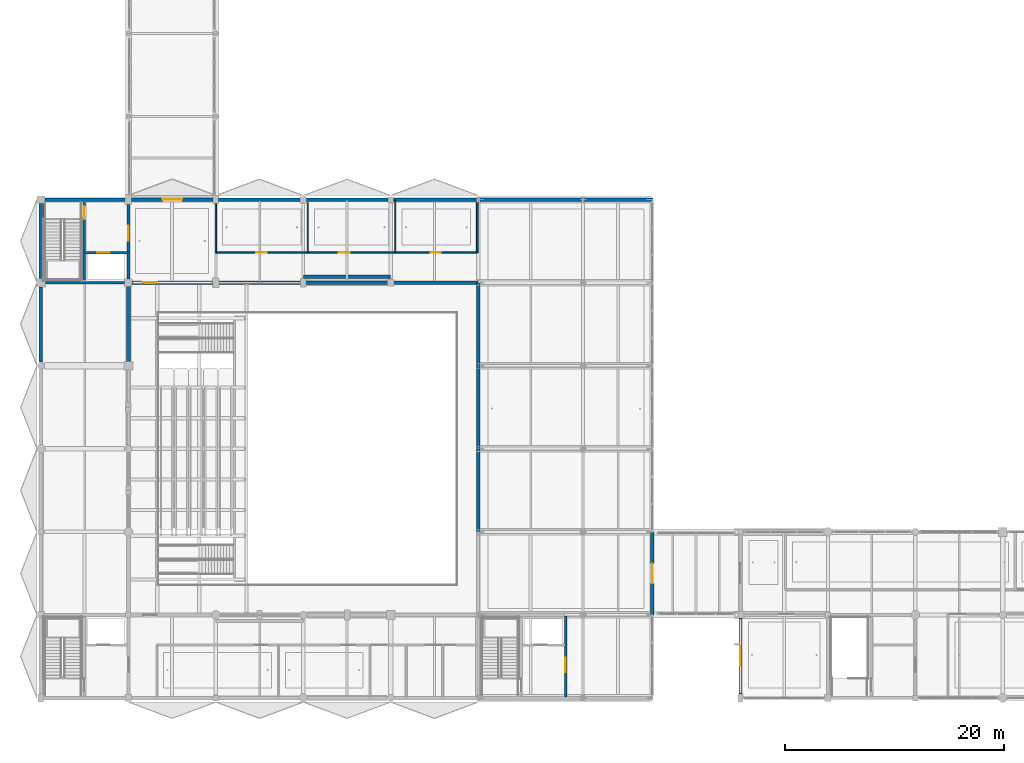
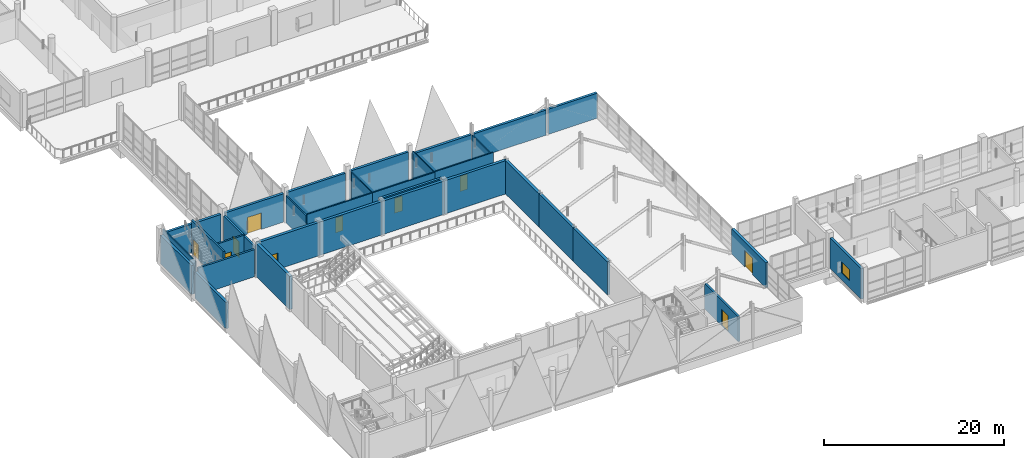
# One storey, part 90 of 141: 33 walls, 10 doors, 1 window, 11 openings.
"""IFC4 building model written with IfcOpenShell, lengths in metres."""

from ifc_helpers import new_model, si_unit, direction, frame, frame_2d, origin, place, context, subcontext, project, spatial, rectangle, extrude, material, layer, layer_set, type_object, element, fill, save


model = new_model("IFC4")

# Units and contexts
model_context = context("Model", 3, precision=1e-05, world=origin(), true_north=direction((0.0, 1.0)))
body_context = subcontext(model_context, "Body", "Model", "MODEL_VIEW")
ifc_project = project(units=[si_unit("LENGTHUNIT", "METRE"), si_unit("AREAUNIT", "SQUARE_METRE"), si_unit("VOLUMEUNIT", "CUBIC_METRE"), si_unit("PLANEANGLEUNIT", "RADIAN"), si_unit("MASSUNIT", "GRAM", prefix="KILO")], contexts=[model_context])

# Site, building, storey
site_placement = place(None, origin())
site = spatial("IfcSite", under=ifc_project, at=site_placement, CompositionType="ELEMENT")
building_placement = place(site_placement, origin())
building = spatial("IfcBuilding", under=site, at=building_placement, Name="Khelvaren Railside Concert Hall", CompositionType="ELEMENT")
storey_placement = place(building_placement, frame((0.0, 0.0, 10.199951171875)))
storey = spatial("IfcBuildingStorey", under=building, at=storey_placement, Name="L02", CompositionType="ELEMENT", Elevation=10.199951171875)

# Wall
ifc_material_1 = material(Name="Concrete C40/50", Category="concrete")
ifc_layer_1 = layer(ifc_material_1, 0.139892578125)
ifc_layer_set_1 = layer_set([ifc_layer_1], Name="Concrete C40/50")
wall_type_1 = type_object("IfcWallType", Name="CW17", PredefinedType="SOLIDWALL", material=ifc_layer_set_1)
wall_1_placement = place(storey_placement, frame((0.27490234375, 38.14990234375, 0.0), z_axis=(0.0, 0.0, 1.0), x_axis=(0.0, 1.0, 0.0)))
element("IfcWall", 1, at=wall_1_placement, inside=storey, type_object=wall_type_1, Name="Core Shaft Structural Liner Wall ST-11-L02", PredefinedType="SOLIDWALL", context=body_context, shape_type="SweptSolid", body=[
    extrude(rectangle(XDim=7.300048828125, YDim=0.139892578125, at=frame_2d((3.64990234375, 0.0))), origin(), (0.0, 0.0, 1.0), 4.52001953125),
])

# Wall, opening, door
ifc_layer_2 = layer(ifc_material_1, 0.25)
ifc_layer_set_2 = layer_set([ifc_layer_2], Name="Concrete C40/50")
wall_type_2 = type_object("IfcWallType", Name="CW82", PredefinedType="SOLIDWALL", material=ifc_layer_set_2)
wall_2_placement = place(storey_placement, frame((48.0, 0.080078125, 0.0), z_axis=(0.0, 0.0, 1.0), x_axis=(0.0, 1.0, 0.0)))
wall_2 = element("IfcWall", 2, at=wall_2_placement, inside=storey, type_object=wall_type_2, Name="Core Enclosure Wall CWALL-ST-02-L02-E", PredefinedType="SOLIDWALL", context=body_context, shape_type="SweptSolid", body=[
    extrude(rectangle(XDim=7.43994140625, YDim=0.25, at=frame_2d((3.719970703125, 0.0))), origin(), (0.0, 0.0, 1.0), 3.41015625),
])
opening_1_placement = place(wall_2_placement, frame((2.27001953125, 0.0, 0.0)))
opening_1 = element("IfcOpeningElement", 3, at=opening_1_placement, cuts=wall_2, Name="Opening FDR34", PredefinedType="OPENING", context=body_context, shape_type="SweptSolid", body=[
    extrude(rectangle(XDim=1.35009765625, YDim=2.199951171875, at=frame_2d((0.675048828125, 1.10009765625))), frame((0.0, 0.135009765625, 0.0), z_axis=(0.0, -1.0, 0.0), x_axis=(1.0, 0.0, 0.0)), (0.0, 0.0, 1.0), 0.27001953125),
])
ifc_material_2 = material(Name="Acoustic fire-rated timber-core steel frame door", Category="steel")
door_type_1 = type_object("IfcDoorType", Name="FDR34", OperationType="NOTDEFINED", PredefinedType="DOOR", material=ifc_material_2)
door_1_placement = place(opening_1_placement, origin())
door_1 = element("IfcDoor", 4, at=door_1_placement, inside=storey, type_object=door_type_1, Name="Interior Door DR-ST-02-L02-LOB", OperationType="SINGLE_SWING_LEFT", OverallHeight=2.199951171875, OverallWidth=1.35009765625, PredefinedType="DOOR", context=body_context, shape_type="SweptSolid", body=[
    extrude(rectangle(XDim=1.35009765625, YDim=2.199951171875, at=frame_2d((0.675048828125, 1.10009765625))), frame((0.0, 0.02490234375, 0.0), z_axis=(0.0, -1.0, 0.0), x_axis=(1.0, 0.0, 0.0)), (0.0, 0.0, 1.0), 0.050048828125),
])
fill(opening_1, door_1)

# Wall
wall_3_placement = place(storey_placement, frame((0.39990234375, 38.0, 0.0), z_axis=(0.0, 0.0, 1.0), x_axis=(1.0, 0.0, 0.0)))
element("IfcWall", 5, at=wall_3_placement, inside=storey, type_object=wall_type_2, Name="Core Enclosure Wall CWALL-ST-11-L02-S", PredefinedType="SOLIDWALL", context=body_context, shape_type="SweptSolid", body=[
    extrude(rectangle(XDim=7.25, YDim=0.25, at=frame_2d((3.625, 0.0))), origin(), (0.0, 0.0, 1.0), 3.695068359375),
])

# Wall, opening, door
wall_4_placement = place(storey_placement, frame((8.0, 38.35009765625, 0.0), z_axis=(0.0, 0.0, 1.0), x_axis=(0.0, 1.0, 0.0)))
wall_4 = element("IfcWall", 6, at=wall_4_placement, inside=storey, type_object=wall_type_2, Name="Core Enclosure Wall CWALL-ST-11-L02-E", PredefinedType="SOLIDWALL", context=body_context, shape_type="SweptSolid", body=[
    extrude(rectangle(XDim=6.7998046875, YDim=0.25, at=frame_2d((3.39990234375, 0.0))), origin(), (0.0, 0.0, 1.0), 3.760009765625),
])
opening_2_placement = place(wall_4_placement, frame((3.5, 0.0, 0.0)))
opening_2 = element("IfcOpeningElement", 7, at=opening_2_placement, cuts=wall_4, Name="Opening FDR34", PredefinedType="OPENING", context=body_context, shape_type="SweptSolid", body=[
    extrude(rectangle(XDim=1.35009765625, YDim=2.199951171875, at=frame_2d((0.675048828125, 1.10009765625))), frame((0.0, 0.135009765625, 0.0), z_axis=(0.0, -1.0, 0.0), x_axis=(1.0, 0.0, 0.0)), (0.0, 0.0, 1.0), 0.27001953125),
])
door_2_placement = place(opening_2_placement, origin())
door_2 = element("IfcDoor", 8, at=door_2_placement, inside=storey, type_object=door_type_1, Name="Interior Door DR-ST-11-L02-LOB", OperationType="SINGLE_SWING_LEFT", OverallHeight=2.199951171875, OverallWidth=1.35009765625, PredefinedType="DOOR", context=body_context, shape_type="SweptSolid", body=[
    extrude(rectangle(XDim=1.35009765625, YDim=2.199951171875, at=frame_2d((0.675048828125, 1.10009765625))), frame((0.0, 0.02490234375, 0.0), z_axis=(0.0, -1.0, 0.0), x_axis=(1.0, 0.0, 0.0)), (0.0, 0.0, 1.0), 0.050048828125),
])
fill(opening_2, door_2)

ifc_layer_3 = layer(ifc_material_1, 0.219970703125)
ifc_layer_set_3 = layer_set([ifc_layer_3], Name="Concrete C40/50")
wall_type_3 = type_object("IfcWallType", Name="CW97", PredefinedType="SOLIDWALL", material=ifc_layer_set_3)
wall_5_placement = place(storey_placement, frame((3.949951171875, 38.25, 0.0), z_axis=(0.0, 0.0, 1.0), x_axis=(0.0, 1.0, 0.0)))
wall_5 = element("IfcWall", 9, at=wall_5_placement, inside=storey, type_object=wall_type_3, Name="Core Enclosure Wall CWALL-ST-11-L02-MID", PredefinedType="SOLIDWALL", context=body_context, shape_type="SweptSolid", body=[
    extrude(rectangle(XDim=7.10009765625, YDim=0.219970703125, at=frame_2d((3.550048828125, 0.0))), origin(), (0.0, 0.0, 1.0), 4.52001953125),
])
opening_3_placement = place(wall_5_placement, frame((5.550048828125, 0.0, 0.0)))
opening_3 = element("IfcOpeningElement", 10, at=opening_3_placement, cuts=wall_5, Name="Opening FDR17", PredefinedType="OPENING", context=body_context, shape_type="SweptSolid", body=[
    extrude(rectangle(XDim=1.199951171875, YDim=2.14990234375, at=frame_2d((0.60009765625, 1.074951171875))), frame((0.0, 0.119873046875, 0.0), z_axis=(0.0, -1.0, 0.0), x_axis=(1.0, 0.0, 0.0)), (0.0, 0.0, 1.0), 0.239990234375),
])
door_type_2 = type_object("IfcDoorType", Name="FDR17", OperationType="NOTDEFINED", PredefinedType="DOOR", material=ifc_material_2)
door_3_placement = place(opening_3_placement, origin())
door_3 = element("IfcDoor", 11, at=door_3_placement, inside=storey, type_object=door_type_2, Name="Interior Door DR-ST-11-L02-ST", OperationType="SINGLE_SWING_RIGHT", OverallHeight=2.14990234375, OverallWidth=1.199951171875, PredefinedType="DOOR", context=body_context, shape_type="SweptSolid", body=[
    extrude(rectangle(XDim=1.199951171875, YDim=2.14990234375, at=frame_2d((0.60009765625, 1.074951171875))), frame((0.0, 0.02490234375, 0.0), z_axis=(0.0, -1.0, 0.0), x_axis=(1.0, 0.0, 0.0)), (0.0, 0.0, 1.0), 0.050048828125),
])
fill(opening_3, door_3)

wall_6_placement = place(storey_placement, frame((4.02001953125, 40.75, 0.0), z_axis=(0.0, 0.0, 1.0), x_axis=(1.0, 0.0, 0.0)))
wall_6 = element("IfcWall", 12, at=wall_6_placement, inside=storey, type_object=wall_type_3, Name="Core Enclosure Wall CWALL-ST-11-L02-SHF", PredefinedType="SOLIDWALL", context=body_context, shape_type="SweptSolid", body=[
    extrude(rectangle(XDim=3.929931640625, YDim=0.219970703125, at=frame_2d((1.96484375, 0.0))), origin(), (0.0, 0.0, 1.0), 3.8701171875),
])
opening_4_placement = place(wall_6_placement, frame((1.14990234375, 0.0, 0.0)))
opening_4 = element("IfcOpeningElement", 13, at=opening_4_placement, cuts=wall_6, Name="Opening LD-GL-01", PredefinedType="OPENING", context=body_context, shape_type="SweptSolid", body=[
    extrude(rectangle(XDim=1.10009765625, YDim=2.199951171875, at=frame_2d((0.550048828125, 1.10009765625))), frame((0.0, 0.119873046875, 0.0), z_axis=(0.0, -1.0, 0.0), x_axis=(1.0, 0.0, 0.0)), (0.0, 0.0, 1.0), 0.239990234375),
])
ifc_material_3 = material(Name="Fire-rated brushed stainless steel landing door", Category="steel")
door_type_3 = type_object("IfcDoorType", Name="LD96", OperationType="DOUBLE_DOOR_SLIDING", PredefinedType="DOOR", material=ifc_material_3)
door_4_placement = place(opening_4_placement, origin())
door_4 = element("IfcDoor", 14, at=door_4_placement, inside=storey, type_object=door_type_3, Name="Lift Landing Door LD-GL-01-L02", OperationType="DOUBLE_DOOR_SLIDING", OverallHeight=2.199951171875, OverallWidth=1.10009765625, PredefinedType="DOOR", context=body_context, shape_type="SweptSolid", body=[
    extrude(rectangle(XDim=1.10009765625, YDim=2.199951171875, at=frame_2d((0.550048828125, 1.10009765625))), frame((0.0, 0.02490234375, 0.0), z_axis=(0.0, -1.0, 0.0), x_axis=(1.0, 0.0, 0.0)), (0.0, 0.0, 1.0), 0.050048828125),
])
fill(opening_4, door_4)

# Walls
ifc_material_4 = material(Name="Board-marked architectural concrete C40/50", Category="concrete")
ifc_layer_4 = layer(ifc_material_4, 0.320068359375)
ifc_layer_set_4 = layer_set([ifc_layer_4], Name="Board-marked architectural concrete C40/50")
wall_type_4 = type_object("IfcWallType", Name="EW39", PredefinedType="SOLIDWALL", material=ifc_layer_set_4)
wall_7_placement = place(storey_placement, frame((0.0, 30.72509765625, 0.0), z_axis=(0.0, 0.0, 1.0), x_axis=(0.0, 1.0, 0.0)))
element("IfcWall", 15, at=wall_7_placement, inside=storey, type_object=wall_type_4, Name="V1 L02 Exterior Concrete Wall W-30", PredefinedType="SOLIDWALL", context=body_context, shape_type="SweptSolid", body=[
    extrude(rectangle(XDim=6.875, YDim=0.320068359375, at=frame_2d((3.4375, 0.0))), origin(), (0.0, 0.0, 1.0), 3.56005859375),
])
wall_8_placement = place(storey_placement, frame((0.0, 38.39990234375, 0.0), z_axis=(0.0, 0.0, 1.0), x_axis=(0.0, 1.0, 0.0)))
element("IfcWall", 16, at=wall_8_placement, inside=storey, type_object=wall_type_4, Name="V1 L02 Exterior Concrete Wall W-38", PredefinedType="SOLIDWALL", context=body_context, shape_type="SweptSolid", body=[
    extrude(rectangle(XDim=6.85009765625, YDim=0.320068359375, at=frame_2d((3.425048828125, 0.0))), origin(), (0.0, 0.0, 1.0), 3.91015625),
])
wall_9_placement = place(storey_placement, frame((0.35009765625, 45.60009765625, 0.0), z_axis=(0.0, 0.0, 1.0), x_axis=(1.0, 0.0, 0.0)))
element("IfcWall", 17, at=wall_9_placement, inside=storey, type_object=wall_type_4, Name="V1 L02 Exterior Concrete Wall N-0", PredefinedType="SOLIDWALL", context=body_context, shape_type="SweptSolid", body=[
    extrude(rectangle(XDim=7.349853515625, YDim=0.320068359375, at=frame_2d((3.6748046875, 0.0))), origin(), (0.0, 0.0, 1.0), 3.860107421875),
])

# Wall, opening, door
wall_10_placement = place(storey_placement, frame((8.300048828125, 45.60009765625, 0.0), z_axis=(0.0, 0.0, 1.0), x_axis=(1.0, 0.0, 0.0)))
wall_10 = element("IfcWall", 18, at=wall_10_placement, inside=storey, type_object=wall_type_4, Name="V1 L02 Bridge Portal Wall N", PredefinedType="SOLIDWALL", context=body_context, shape_type="SweptSolid", body=[
    extrude(rectangle(XDim=7.449951171875, YDim=0.320068359375, at=frame_2d((3.72509765625, 0.0))), origin(), (0.0, 0.0, 1.0), 3.860107421875),
])
opening_5_placement = place(wall_10_placement, frame((2.824951171875, 0.0, 0.0)))
opening_5 = element("IfcOpeningElement", 19, at=opening_5_placement, cuts=wall_10, Name="Opening DR64", PredefinedType="OPENING", context=body_context, shape_type="SweptSolid", body=[
    extrude(rectangle(XDim=1.800048828125, YDim=2.25, at=frame_2d((0.89990234375, 1.125))), frame((0.0, 0.169921875, 0.0), z_axis=(0.0, -1.0, 0.0), x_axis=(1.0, 0.0, 0.0)), (0.0, 0.0, 1.0), 0.340087890625),
])
ifc_material_5 = material(Name="Glazed fire-rated steel frame door", Category="steel")
door_type_4 = type_object("IfcDoorType", Name="DR64", OperationType="DOUBLE_DOOR_SINGLE_SWING", PredefinedType="DOOR", material=ifc_material_5)
door_5_placement = place(opening_5_placement, origin())
door_5 = element("IfcDoor", 20, at=door_5_placement, inside=storey, type_object=door_type_4, Name="V1 L02 Link Bridge Portal Door", OperationType="DOUBLE_DOOR_SINGLE_SWING", OverallHeight=2.25, OverallWidth=1.800048828125, PredefinedType="DOOR", context=body_context, shape_type="SweptSolid", body=[
    extrude(rectangle(XDim=1.800048828125, YDim=2.25, at=frame_2d((0.89990234375, 1.125))), frame((0.0, 0.02490234375, 0.0), z_axis=(0.0, -1.0, 0.0), x_axis=(1.0, 0.0, 0.0)), (0.0, 0.0, 1.0), 0.050048828125),
])
fill(opening_5, door_5)

# Walls
wall_11_placement = place(storey_placement, frame((16.25, 45.60009765625, 0.0), z_axis=(0.0, 0.0, 1.0), x_axis=(1.0, 0.0, 0.0)))
element("IfcWall", 21, at=wall_11_placement, inside=storey, type_object=wall_type_4, Name="V1 L02 Exterior Concrete Wall N-16", PredefinedType="SOLIDWALL", context=body_context, shape_type="SweptSolid", body=[
    extrude(rectangle(XDim=7.449951171875, YDim=0.320068359375, at=frame_2d((3.72509765625, 0.0))), origin(), (0.0, 0.0, 1.0), 3.860107421875),
])
wall_12_placement = place(storey_placement, frame((24.300048828125, 45.60009765625, 0.0), z_axis=(0.0, 0.0, 1.0), x_axis=(1.0, 0.0, 0.0)))
element("IfcWall", 22, at=wall_12_placement, inside=storey, type_object=wall_type_4, Name="V1 L02 Exterior Concrete Wall N-24", PredefinedType="SOLIDWALL", context=body_context, shape_type="SweptSolid", body=[
    extrude(rectangle(XDim=7.449951171875, YDim=0.320068359375, at=frame_2d((3.72509765625, 0.0))), origin(), (0.0, 0.0, 1.0), 3.91015625),
])
wall_13_placement = place(storey_placement, frame((32.25, 45.60009765625, 0.0), z_axis=(0.0, 0.0, 1.0), x_axis=(1.0, 0.0, 0.0)))
element("IfcWall", 23, at=wall_13_placement, inside=storey, type_object=wall_type_4, Name="V1 L02 Exterior Concrete Wall N-32", PredefinedType="SOLIDWALL", context=body_context, shape_type="SweptSolid", body=[
    extrude(rectangle(XDim=7.60009765625, YDim=0.320068359375, at=frame_2d((3.800048828125, 0.0))), origin(), (0.0, 0.0, 1.0), 3.41015625),
])
wall_14_placement = place(storey_placement, frame((40.14990234375, 45.60009765625, 0.0), z_axis=(0.0, 0.0, 1.0), x_axis=(1.0, 0.0, 0.0)))
element("IfcWall", 24, at=wall_14_placement, inside=storey, type_object=wall_type_4, Name="V1 L02 Exterior Concrete Wall N-40", PredefinedType="SOLIDWALL", context=body_context, shape_type="SweptSolid", body=[
    extrude(rectangle(XDim=9.300048828125, YDim=0.320068359375, at=frame_2d((4.64990234375, 0.0))), origin(), (0.0, 0.0, 1.0), 3.41015625),
])
wall_15_placement = place(storey_placement, frame((49.75, 45.60009765625, 0.0), z_axis=(0.0, 0.0, 1.0), x_axis=(1.0, 0.0, 0.0)))
element("IfcWall", 25, at=wall_15_placement, inside=storey, type_object=wall_type_4, Name="V1 L02 Exterior Concrete Wall N-50", PredefinedType="SOLIDWALL", context=body_context, shape_type="SweptSolid", body=[
    extrude(rectangle(XDim=6.25, YDim=0.320068359375, at=frame_2d((3.125, 0.0))), origin(), (0.0, 0.0, 1.0), 3.41015625),
])

# Wall, opening, door
wall_16_placement = place(storey_placement, frame((55.93994140625, 15.199951171875, 0.0), z_axis=(0.0, 0.0, 1.0), x_axis=(0.0, -1.0, 0.0)))
wall_16 = element("IfcWall", 26, at=wall_16_placement, inside=storey, type_object=wall_type_4, Name="V1 L02 Bridge Portal Wall E", PredefinedType="SOLIDWALL", context=body_context, shape_type="SweptSolid", body=[
    extrude(rectangle(XDim=7.599853515625, YDim=0.320068359375, at=frame_2d((3.7998046875, 0.0))), origin(), (0.0, 0.0, 1.0), 3.41015625),
])
opening_6_placement = place(wall_16_placement, frame((2.89990234375, 0.0, 0.0)))
opening_6 = element("IfcOpeningElement", 27, at=opening_6_placement, cuts=wall_16, Name="Opening DR64", PredefinedType="OPENING", context=body_context, shape_type="SweptSolid", body=[
    extrude(rectangle(XDim=1.800048828125, YDim=2.25, at=frame_2d((0.89990234375, 1.125))), frame((0.0, 0.169921875, 0.0), z_axis=(0.0, -1.0, 0.0), x_axis=(1.0, 0.0, 0.0)), (0.0, 0.0, 1.0), 0.340087890625),
])
door_6_placement = place(opening_6_placement, origin())
door_6 = element("IfcDoor", 28, at=door_6_placement, inside=storey, type_object=door_type_4, Name="V1 L02 Link Bridge Portal Door", OperationType="DOUBLE_DOOR_SINGLE_SWING", OverallHeight=2.25, OverallWidth=1.800048828125, PredefinedType="DOOR", context=body_context, shape_type="SweptSolid", body=[
    extrude(rectangle(XDim=1.800048828125, YDim=2.25, at=frame_2d((0.89990234375, 1.125))), frame((0.0, 0.02490234375, 0.0), z_axis=(0.0, -1.0, 0.0), x_axis=(1.0, 0.0, 0.0)), (0.0, 0.0, 1.0), 0.050048828125),
])
fill(opening_6, door_6)

# Wall, opening, window
ifc_layer_5 = layer(ifc_material_4, 0.2900390625)
ifc_layer_set_5 = layer_set([ifc_layer_5], Name="Board-marked architectural concrete C40/50")
wall_type_5 = type_object("IfcWallType", Name="EW77", PredefinedType="SOLIDWALL", material=ifc_layer_set_5)
wall_17_placement = place(storey_placement, frame((64.0, 0.375, 0.0), z_axis=(0.0, 0.0, 1.0), x_axis=(0.0, 1.0, 0.0)))
wall_17 = element("IfcWall", 29, at=wall_17_placement, inside=storey, type_object=wall_type_5, Name="V3 L02 Exterior Concrete Wall W-0", PredefinedType="SOLIDWALL", context=body_context, shape_type="SweptSolid", body=[
    extrude(rectangle(XDim=6.925048828125, YDim=0.2900390625, at=frame_2d((3.46240234375, 0.0))), origin(), (0.0, 0.0, 1.0), 4.130126953125),
])
opening_7_placement = place(wall_17_placement, frame((2.5625, 0.0, 0.949951171875)))
opening_7 = element("IfcOpeningElement", 30, at=opening_7_placement, cuts=wall_17, Name="Opening WN56", PredefinedType="OPENING", context=body_context, shape_type="SweptSolid", body=[
    extrude(rectangle(XDim=1.800048828125, YDim=1.5, at=frame_2d((0.89990234375, 0.75))), frame((0.0, 0.155029296875, 0.0), z_axis=(0.0, -1.0, 0.0), x_axis=(1.0, 0.0, 0.0)), (0.0, 0.0, 1.0), 0.31005859375),
])
ifc_material_6 = material(Name="Triple-glazed acoustic aluminium window", Category="aluminium")
window_type = type_object("IfcWindowType", Name="WN56", PartitioningType="DOUBLE_PANEL_VERTICAL", PredefinedType="WINDOW", material=ifc_material_6)
window_placement = place(opening_7_placement, origin())
window = element("IfcWindow", 31, at=window_placement, inside=storey, type_object=window_type, Name="Acoustic Facade Window EW-V3-L02-W-0", OverallHeight=1.5, OverallWidth=1.800048828125, PartitioningType="DOUBLE_PANEL_VERTICAL", PredefinedType="WINDOW", context=body_context, shape_type="SweptSolid", body=[
    extrude(rectangle(XDim=1.800048828125, YDim=1.5, at=frame_2d((0.89990234375, 0.75))), frame((0.0, 0.030029296875, 0.0), z_axis=(0.0, -1.0, 0.0), x_axis=(1.0, 0.0, 0.0)), (0.0, 0.0, 1.0), 0.06005859375),
])
fill(opening_7, window)

# Wall
ifc_material_7 = material(Name="Acoustic double-stud gypsum partition", Category="gypsum")
ifc_layer_6 = layer(ifc_material_7, 0.1298828125)
ifc_layer_set_6 = layer_set([ifc_layer_6], Name="Acoustic double-stud gypsum partition")
wall_type_6 = type_object("IfcWallType", Name="PT31", PredefinedType="PARTITIONING", material=ifc_layer_set_6)
wall_18_placement = place(storey_placement, frame((32.4140625, 40.75, 0.0), z_axis=(0.0, 0.0, 1.0), x_axis=(0.0, 1.0, 0.0)))
element("IfcWall", 32, at=wall_18_placement, inside=storey, type_object=wall_type_6, Name="Acoustic Partition Wall PW-V1-L02-N2-D02", PredefinedType="PARTITIONING", context=body_context, shape_type="SweptSolid", body=[
    extrude(rectangle(XDim=4.77001953125, YDim=0.1298828125, at=frame_2d((2.385009765625, 0.0))), origin(), (0.0, 0.0, 1.0), 3.77001953125),
])

# Wall, opening, door
ifc_layer_7 = layer(ifc_material_7, 0.14990234375)
ifc_layer_set_7 = layer_set([ifc_layer_7], Name="Acoustic double-stud gypsum partition")
wall_type_7 = type_object("IfcWallType", Name="PT72", PredefinedType="PARTITIONING", material=ifc_layer_set_7)
wall_19_placement = place(storey_placement, frame((16.0, 40.75, 0.0), z_axis=(0.0, 0.0, 1.0), x_axis=(1.0, 0.0, 0.0)))
wall_19 = element("IfcWall", 33, at=wall_19_placement, inside=storey, type_object=wall_type_7, Name="Acoustic Partition Wall PW-V1-L02-N2-C01", PredefinedType="PARTITIONING", context=body_context, shape_type="SweptSolid", body=[
    extrude(rectangle(XDim=8.406982421875, YDim=0.14990234375, at=frame_2d((4.20361328125, 0.0))), origin(), (0.0, 0.0, 1.0), 3.820068359375),
])
opening_8_placement = place(wall_19_placement, frame((3.70361328125, 0.0, 0.0)))
opening_8 = element("IfcOpeningElement", 34, at=opening_8_placement, cuts=wall_19, Name="Opening IDR50", PredefinedType="OPENING", context=body_context, shape_type="SweptSolid", body=[
    extrude(rectangle(XDim=0.9599609375, YDim=2.050048828125, at=frame_2d((0.47998046875, 1.02490234375))), frame((0.0, 0.0849609375, 0.0), z_axis=(0.0, -1.0, 0.0), x_axis=(1.0, 0.0, 0.0)), (0.0, 0.0, 1.0), 0.169921875),
])
ifc_material_8 = material(Name="Solid oak acoustic studio door", Category="wood")
door_type_5 = type_object("IfcDoorType", Name="IDR50", OperationType="NOTDEFINED", PredefinedType="DOOR", material=ifc_material_8)
door_7_placement = place(opening_8_placement, origin())
door_7 = element("IfcDoor", 35, at=door_7_placement, inside=storey, type_object=door_type_5, Name="Interior Door DR-V1-L02-N2-01", OperationType="SINGLE_SWING_LEFT", OverallHeight=2.050048828125, OverallWidth=0.9599609375, PredefinedType="DOOR", context=body_context, shape_type="SweptSolid", body=[
    extrude(rectangle(XDim=0.9599609375, YDim=2.050048828125, at=frame_2d((0.47998046875, 1.02490234375))), frame((0.0, 0.02490234375, 0.0), z_axis=(0.0, -1.0, 0.0), x_axis=(1.0, 0.0, 0.0)), (0.0, 0.0, 1.0), 0.050048828125),
])
fill(opening_8, door_7)

wall_20_placement = place(storey_placement, frame((24.406982421875, 40.75, 0.0), z_axis=(0.0, 0.0, 1.0), x_axis=(1.0, 0.0, 0.0)))
wall_20 = element("IfcWall", 36, at=wall_20_placement, inside=storey, type_object=wall_type_7, Name="Acoustic Partition Wall PW-V1-L02-N2-C02", PredefinedType="PARTITIONING", context=body_context, shape_type="SweptSolid", body=[
    extrude(rectangle(XDim=8.007080078125, YDim=0.14990234375, at=frame_2d((4.00341796875, 0.0))), origin(), (0.0, 0.0, 1.0), 3.820068359375),
])
opening_9_placement = place(wall_20_placement, frame((2.8466796875, 0.0, 0.0)))
opening_9 = element("IfcOpeningElement", 37, at=opening_9_placement, cuts=wall_20, Name="Opening IDR21", PredefinedType="OPENING", context=body_context, shape_type="SweptSolid", body=[
    extrude(rectangle(XDim=1.0, YDim=2.050048828125, at=frame_2d((0.5, 1.02490234375))), frame((0.0, 0.0849609375, 0.0), z_axis=(0.0, -1.0, 0.0), x_axis=(1.0, 0.0, 0.0)), (0.0, 0.0, 1.0), 0.169921875),
])
door_type_6 = type_object("IfcDoorType", Name="IDR21", OperationType="NOTDEFINED", PredefinedType="DOOR", material=ifc_material_8)
door_8_placement = place(opening_9_placement, origin())
door_8 = element("IfcDoor", 38, at=door_8_placement, inside=storey, type_object=door_type_6, Name="Interior Door DR-V1-L02-N2-02", OperationType="SINGLE_SWING_RIGHT", OverallHeight=2.050048828125, OverallWidth=1.0, PredefinedType="DOOR", context=body_context, shape_type="SweptSolid", body=[
    extrude(rectangle(XDim=1.0, YDim=2.050048828125, at=frame_2d((0.5, 1.02490234375))), frame((0.0, 0.02490234375, 0.0), z_axis=(0.0, -1.0, 0.0), x_axis=(1.0, 0.0, 0.0)), (0.0, 0.0, 1.0), 0.050048828125),
])
fill(opening_9, door_8)

wall_21_placement = place(storey_placement, frame((32.4140625, 40.75, 0.0), z_axis=(0.0, 0.0, 1.0), x_axis=(1.0, 0.0, 0.0)))
wall_21 = element("IfcWall", 39, at=wall_21_placement, inside=storey, type_object=wall_type_7, Name="Acoustic Partition Wall PW-V1-L02-N2-C03", PredefinedType="PARTITIONING", context=body_context, shape_type="SweptSolid", body=[
    extrude(rectangle(XDim=7.505859375, YDim=0.14990234375, at=frame_2d((3.7529296875, 0.0))), origin(), (0.0, 0.0, 1.0), 3.875),
])
opening_10_placement = place(wall_21_placement, frame((3.2529296875, 0.0, 0.0)))
opening_10 = element("IfcOpeningElement", 40, at=opening_10_placement, cuts=wall_21, Name="Opening IDR30", PredefinedType="OPENING", context=body_context, shape_type="SweptSolid", body=[
    extrude(rectangle(XDim=0.929931640625, YDim=2.10009765625, at=frame_2d((0.46484375, 1.050048828125))), frame((0.0, 0.0849609375, 0.0), z_axis=(0.0, -1.0, 0.0), x_axis=(1.0, 0.0, 0.0)), (0.0, 0.0, 1.0), 0.169921875),
])
door_type_7 = type_object("IfcDoorType", Name="IDR30", OperationType="NOTDEFINED", PredefinedType="DOOR", material=ifc_material_8)
door_9_placement = place(opening_10_placement, origin())
door_9 = element("IfcDoor", 41, at=door_9_placement, inside=storey, type_object=door_type_7, Name="Interior Door DR-V1-L02-N2-03", OperationType="SINGLE_SWING_LEFT", OverallHeight=2.10009765625, OverallWidth=0.929931640625, PredefinedType="DOOR", context=body_context, shape_type="SweptSolid", body=[
    extrude(rectangle(XDim=0.929931640625, YDim=2.10009765625, at=frame_2d((0.46484375, 1.050048828125))), frame((0.0, 0.02490234375, 0.0), z_axis=(0.0, -1.0, 0.0), x_axis=(1.0, 0.0, 0.0)), (0.0, 0.0, 1.0), 0.050048828125),
])
fill(opening_10, door_9)

# Walls
wall_22_placement = place(storey_placement, frame((16.0, 40.75, 0.0), z_axis=(0.0, 0.0, 1.0), x_axis=(0.0, 1.0, 0.0)))
element("IfcWall", 42, at=wall_22_placement, inside=storey, type_object=wall_type_7, Name="Acoustic Partition Wall PW-V1-L02-N2-W0", PredefinedType="PARTITIONING", context=body_context, shape_type="SweptSolid", body=[
    extrude(rectangle(XDim=4.47509765625, YDim=0.14990234375, at=frame_2d((2.237548828125, 0.0))), origin(), (0.0, 0.0, 1.0), 3.655029296875),
])
wall_23_placement = place(storey_placement, frame((39.919921875, 40.75, 0.0), z_axis=(0.0, 0.0, 1.0), x_axis=(0.0, 1.0, 0.0)))
element("IfcWall", 43, at=wall_23_placement, inside=storey, type_object=wall_type_7, Name="Acoustic Partition Wall PW-V1-L02-N2-E0", PredefinedType="PARTITIONING", context=body_context, shape_type="SweptSolid", body=[
    extrude(rectangle(XDim=4.60009765625, YDim=0.14990234375, at=frame_2d((2.300048828125, 0.0))), origin(), (0.0, 0.0, 1.0), 3.41015625),
])
ifc_layer_8 = layer(ifc_material_7, 0.110107421875)
ifc_layer_set_8 = layer_set([ifc_layer_8], Name="Acoustic double-stud gypsum partition")
wall_type_8 = type_object("IfcWallType", Name="PT80", PredefinedType="PARTITIONING", material=ifc_layer_set_8)
wall_24_placement = place(storey_placement, frame((24.406982421875, 40.75, 0.0), z_axis=(0.0, 0.0, 1.0), x_axis=(0.0, 1.0, 0.0)))
element("IfcWall", 44, at=wall_24_placement, inside=storey, type_object=wall_type_8, Name="Acoustic Partition Wall PW-V1-L02-N2-D01", PredefinedType="PARTITIONING", context=body_context, shape_type="SweptSolid", body=[
    extrude(rectangle(XDim=4.550048828125, YDim=0.110107421875, at=frame_2d((2.27490234375, 0.0))), origin(), (0.0, 0.0, 1.0), 3.820068359375),
])
ifc_layer_9 = layer(ifc_material_1, 0.300048828125)
ifc_layer_set_9 = layer_set([ifc_layer_9], Name="Concrete C40/50")
wall_type_9 = type_object("IfcWallType", Name="SW62", PredefinedType="SHEAR", material=ifc_layer_set_9)
wall_25_placement = place(storey_placement, frame((24.0, 38.550048828125, 0.0), z_axis=(0.0, 0.0, 1.0), x_axis=(1.0, 0.0, 0.0)))
element("IfcWall", 45, at=wall_25_placement, inside=storey, type_object=wall_type_9, Name="V1 Outer Box Isolation Wall L02-2", PredefinedType="SHEAR", context=body_context, shape_type="SweptSolid", body=[
    extrude(rectangle(XDim=8.0, YDim=0.300048828125, at=frame_2d((4.0, 0.0))), origin(), (0.0, 0.0, 1.0), 4.52001953125),
])

# Wall, opening, door
ifc_layer_10 = layer(ifc_material_1, 0.35009765625)
ifc_layer_set_10 = layer_set([ifc_layer_10], Name="Concrete C40/50")
wall_type_10 = type_object("IfcWallType", Name="SW91", PredefinedType="SHEAR", material=ifc_layer_set_10)
wall_26_placement = place(storey_placement, frame((8.0, 38.0, 0.0), z_axis=(0.0, 0.0, 1.0), x_axis=(1.0, 0.0, 0.0)))
wall_26 = element("IfcWall", 46, at=wall_26_placement, inside=storey, type_object=wall_type_10, Name="V1 Acoustic Box Shear Wall L02 N1", PredefinedType="SHEAR", context=body_context, shape_type="SweptSolid", body=[
    extrude(rectangle(XDim=8.0, YDim=0.35009765625, at=frame_2d((4.0, 0.0))), origin(), (0.0, 0.0, 1.0), 4.52001953125),
])
opening_11_placement = place(wall_26_placement, frame((1.35009765625, 0.0, 0.0)))
opening_11 = element("IfcOpeningElement", 47, at=opening_11_placement, cuts=wall_26, Name="Opening ADR42", PredefinedType="OPENING", context=body_context, shape_type="SweptSolid", body=[
    extrude(rectangle(XDim=1.25, YDim=2.199951171875, at=frame_2d((0.625, 1.10009765625))), frame((0.0, 0.18505859375, 0.0), z_axis=(0.0, -1.0, 0.0), x_axis=(1.0, 0.0, 0.0)), (0.0, 0.0, 1.0), 0.3701171875),
])
ifc_material_9 = material(Name="Heavy acoustic double sound-lock fire door", Category="wood")
door_type_8 = type_object("IfcDoorType", Name="ADR42", OperationType="DOUBLE_DOOR_SINGLE_SWING", PredefinedType="DOOR", material=ifc_material_9)
door_10_placement = place(opening_11_placement, origin())
door_10 = element("IfcDoor", 48, at=door_10_placement, inside=storey, type_object=door_type_8, Name="Main Concert Hall Acoustic Sound-Lock Door L02-N1", OperationType="DOUBLE_DOOR_SINGLE_SWING", OverallHeight=2.199951171875, OverallWidth=1.25, PredefinedType="DOOR", context=body_context, shape_type="SweptSolid", body=[
    extrude(rectangle(XDim=1.25, YDim=2.199951171875, at=frame_2d((0.625, 1.10009765625))), frame((0.0, 0.02490234375, 0.0), z_axis=(0.0, -1.0, 0.0), x_axis=(1.0, 0.0, 0.0)), (0.0, 0.0, 1.0), 0.050048828125),
])
fill(opening_11, door_10)

# Walls
for number, where, z_axis, x_axis, name in (
    (49, (16.0, 38.0, 0.0), (0.0, 0.0, 1.0), (1.0, 0.0, 0.0), "V1 Acoustic Box Shear Wall L02 N2"),
    (50, (24.0, 38.0, 0.0), (0.0, 0.0, 1.0), (1.0, 0.0, 0.0), "V1 Acoustic Box Shear Wall L02 N3"),
    (51, (32.0, 38.0, 0.0), (0.0, 0.0, 1.0), (1.0, 0.0, 0.0), "V1 Acoustic Box Shear Wall L02 N4"),
):
    element("IfcWall", number, at=place(storey_placement, frame(where, z_axis=z_axis, x_axis=x_axis)), inside=storey, type_object=wall_type_10, Name=name, PredefinedType="SHEAR", context=body_context, shape_type="SweptSolid", body=[
        extrude(rectangle(XDim=8.0, YDim=0.35009765625, at=frame_2d((4.0, 0.0))), origin(), (0.0, 0.0, 1.0), 4.52001953125),
    ])
for number, where, z_axis, x_axis, name in (
    (52, (8.0, 30.39990234375, 0.0), (0.0, 0.0, 1.0), (0.0, 1.0, 0.0), "V1 Acoustic Box Shear Wall L02 W4"),
    (53, (40.0, 15.199951171875, 0.0), (0.0, 0.0, 1.0), (0.0, 1.0, 0.0), "V1 Acoustic Box Shear Wall L02 E2"),
):
    element("IfcWall", number, at=place(storey_placement, frame(where, z_axis=z_axis, x_axis=x_axis)), inside=storey, type_object=wall_type_10, Name=name, PredefinedType="SHEAR", context=body_context, shape_type="SweptSolid", body=[
        extrude(rectangle(XDim=7.60009765625, YDim=0.35009765625, at=frame_2d((3.800048828125, 0.0))), origin(), (0.0, 0.0, 1.0), 4.52001953125),
    ])
wall_27_placement = place(storey_placement, frame((40.0, 22.800048828125, 0.0), z_axis=(0.0, 0.0, 1.0), x_axis=(0.0, 1.0, 0.0)))
element("IfcWall", 54, at=wall_27_placement, inside=storey, type_object=wall_type_10, Name="V1 Acoustic Box Shear Wall L02 E3", PredefinedType="SHEAR", context=body_context, shape_type="SweptSolid", body=[
    extrude(rectangle(XDim=7.599853515625, YDim=0.35009765625, at=frame_2d((3.7998046875, 0.0))), origin(), (0.0, 0.0, 1.0), 4.52001953125),
])
wall_28_placement = place(storey_placement, frame((40.0, 30.39990234375, 0.0), z_axis=(0.0, 0.0, 1.0), x_axis=(0.0, 1.0, 0.0)))
element("IfcWall", 55, at=wall_28_placement, inside=storey, type_object=wall_type_10, Name="V1 Acoustic Box Shear Wall L02 E4", PredefinedType="SHEAR", context=body_context, shape_type="SweptSolid", body=[
    extrude(rectangle(XDim=7.60009765625, YDim=0.35009765625, at=frame_2d((3.800048828125, 0.0))), origin(), (0.0, 0.0, 1.0), 4.52001953125),
])

save(model, "model.ifc")
